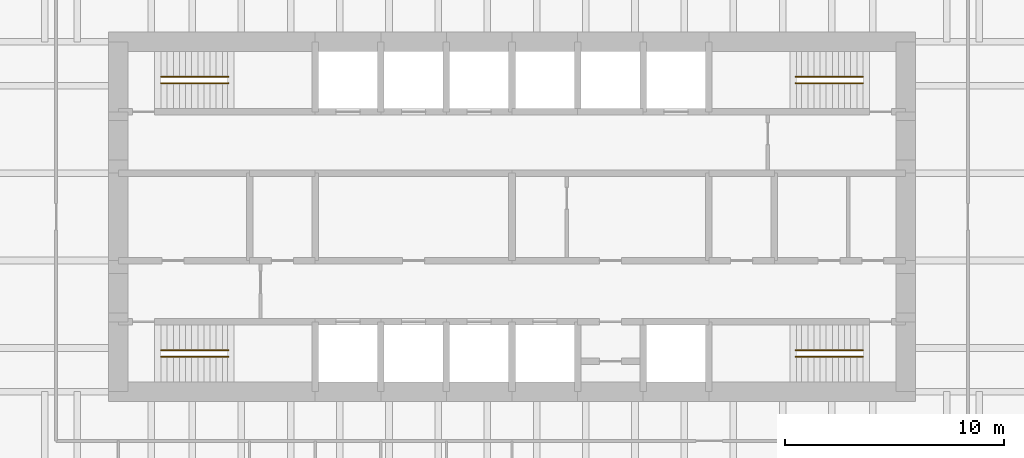
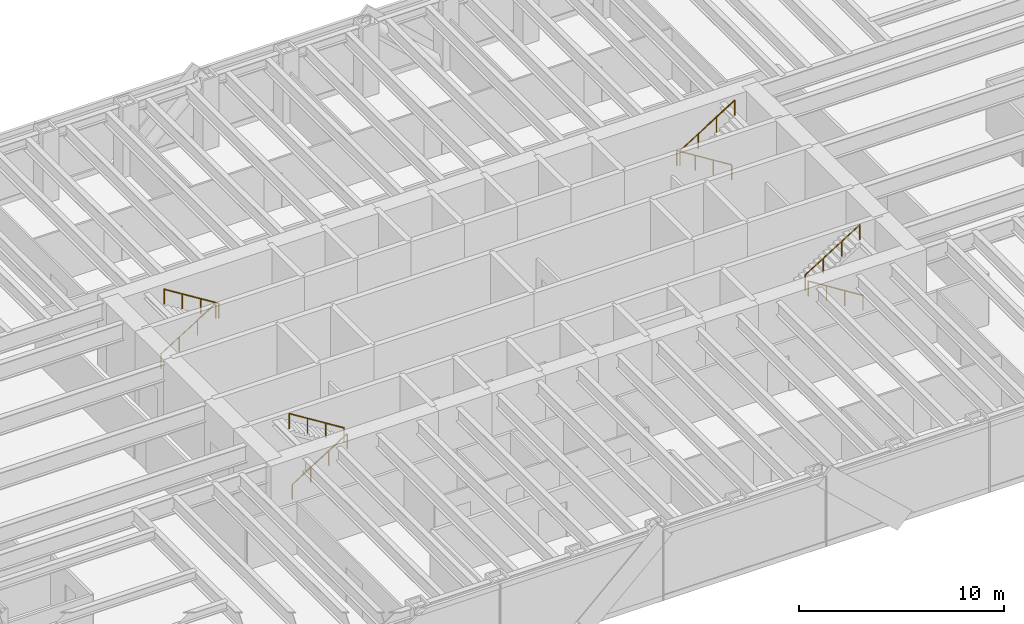
# One storey, part 15 of 15: 8 railings.
"""IFC4 building model written with IfcOpenShell, lengths in metres."""

import ifcopenshell
import ifcopenshell.guid

model = None  # the IFC model being written
_history = None  # IfcOwnerHistory: only IFC2X3 demands one
_inside = {}  # id of a spatial element -> (the spatial element, [elements in it])
_under = {}  # id of a project, library or spatial element -> (it, [spatial elements below it])
_declared = {}  # id of a project -> (the project, [libraries it declares])
_typed = {}  # id of a type object -> (the type object, [elements of that type])
_made_of = {}  # id of a material, layer set ... -> (it, [elements and type objects made of it])


def new_model(schema):
    """Start an empty IFC model of exactly this schema.

    Asked for "IFC4X3", IfcOpenShell would pick the latest addendum, in which some entities
    have other attributes; the version numbers below select the first issue.
    IFC2X3 requires an IfcOwnerHistory on every rooted entity: one is made here for all.
    """
    global model, _history
    if schema == "IFC4X3":
        model = ifcopenshell.file(schema_version=(4, 3, 0, 0))
    else:
        model = ifcopenshell.file(schema=schema)
    _inside.clear()
    _under.clear()
    _declared.clear()
    _typed.clear()
    _made_of.clear()
    _history = None
    if model.schema == "IFC2X3":
        org = make("IfcOrganization", Name="unknown")
        user = make(
            "IfcPersonAndOrganization",
            ThePerson=make("IfcPerson", FamilyName="unknown"),
            TheOrganization=org,
        )
        app = make(
            "IfcApplication",
            ApplicationDeveloper=org,
            Version="unknown",
            ApplicationFullName="unknown",
            ApplicationIdentifier="unknown",
        )
        _history = make(
            "IfcOwnerHistory",
            OwningUser=user,
            OwningApplication=app,
            ChangeAction="ADDED",
            CreationDate=0,
        )
    return model


def make(cls, **values):
    """One entity of the class cls with the attributes given. An attribute that is None is left unset."""
    return model.create_entity(
        cls, **{name: value for name, value in values.items() if value is not None}
    )


def rooted(cls, **values):
    """An entity with a GlobalId (a new one), such as an element, a storey or a relation."""
    return make(cls, GlobalId=ifcopenshell.guid.new(), OwnerHistory=_history, **values)


def si_unit(unit_type, name, prefix=None):
    """IfcSIUnit, for example si_unit("LENGTHUNIT", "METRE", prefix="MILLI")."""
    return make("IfcSIUnit", UnitType=unit_type, Prefix=prefix, Name=name)


def assignment(units):
    """IfcUnitAssignment: the units of a project."""
    return None if units is None else make("IfcUnitAssignment", Units=units)


def point(xyz):
    """IfcCartesianPoint."""
    return None if xyz is None else make("IfcCartesianPoint", Coordinates=xyz)


def direction(xyz):
    """IfcDirection."""
    return None if xyz is None else make("IfcDirection", DirectionRatios=xyz)


def frame(location, z_axis=None, x_axis=None):
    """IfcAxis2Placement3D, a coordinate frame: its origin and axes. An axis left out is left unset."""
    return make(
        "IfcAxis2Placement3D",
        Location=point(location),
        Axis=direction(z_axis),
        RefDirection=direction(x_axis),
    )


def frame_2d(location, x_axis=None):
    """IfcAxis2Placement2D, a coordinate frame in the plane: its origin and x axis."""
    return make(
        "IfcAxis2Placement2D", Location=point(location), RefDirection=direction(x_axis)
    )


def origin():
    """The frame at (0, 0, 0) with its axes left unset."""
    return frame((0.0, 0.0, 0.0))


def origin_2d():
    """The frame at (0, 0) in the plane with its x axis left unset."""
    return frame_2d((0.0, 0.0))


def place(relative_to, where):
    """IfcLocalPlacement: puts the frame where relative to a parent placement (None: the world)."""
    return make(
        "IfcLocalPlacement", PlacementRelTo=relative_to, RelativePlacement=where
    )


def context(
    kind, dimensions, precision=None, world=None, true_north=None, identifier=None
):
    """IfcGeometricRepresentationContext, for example the 3D "Model" context."""
    return make(
        "IfcGeometricRepresentationContext",
        ContextIdentifier=identifier,
        ContextType=kind,
        CoordinateSpaceDimension=dimensions,
        Precision=precision,
        WorldCoordinateSystem=world,
        TrueNorth=true_north,
    )


def subcontext(parent, identifier, kind, view, scale=None):
    """IfcGeometricRepresentationSubContext, for example "Body" below "Model"."""
    return make(
        "IfcGeometricRepresentationSubContext",
        ContextIdentifier=identifier,
        ContextType=kind,
        ParentContext=parent,
        TargetScale=scale,
        TargetView=view,
    )


def project(units=None, contexts=None):
    """IfcProject with its units and contexts."""
    return rooted(
        "IfcProject",
        Name="project",
        RepresentationContexts=contexts,
        UnitsInContext=assignment(units),
    )


def spatial(cls, under=None, at=None, **own):
    """A site, building, storey or space (cls), placed at a placement, below another one or the project."""
    s = rooted(cls, ObjectPlacement=at, **own)
    if under is not None:
        _under.setdefault(under.id(), (under, []))[1].append(s)
    return s


def profile(cls, at=None, kind="AREA", **sizes):
    """A parametric profile (cls). Its sizes go by their IFC names, for example OverallWidth=200.0."""
    return make(cls, ProfileType=kind, Position=at, **sizes)


def circle(**sizes):
    """IfcCircleProfileDef."""
    return profile("IfcCircleProfileDef", **sizes)


def extrude(swept, where, along, depth):
    """IfcExtrudedAreaSolid: the profile swept, set in the frame where, extruded along a direction by depth."""
    return make(
        "IfcExtrudedAreaSolid",
        SweptArea=swept,
        Position=where,
        ExtrudedDirection=direction(along),
        Depth=depth,
    )


def shape(context_of_items, identifier, shape_type, items):
    """IfcShapeRepresentation: the items that make up one representation, for example the "Body"."""
    return make(
        "IfcShapeRepresentation",
        ContextOfItems=context_of_items,
        RepresentationIdentifier=identifier,
        RepresentationType=shape_type,
        Items=items,
    )


def material(Name=None, Category=None):
    """IfcMaterial."""
    return make("IfcMaterial", Name=Name, Category=Category)


def made_of(thing, what):
    """Note that an element or type object is made of a material, layer set ...; save() writes the relation."""
    if what is not None:
        _made_of.setdefault(what.id(), (what, []))[1].append(thing)
    return thing


def type_object(cls, material=None, **own):
    """A type object (cls), such as IfcWallType, which elements share."""
    return made_of(rooted(cls, **own), material)


def element(
    cls,
    number,
    at=None,
    inside=None,
    cuts=None,
    type_object=None,
    material=None,
    context=None,
    identifier="Body",
    shape_type=None,
    held_by="IfcProductDefinitionShape",
    body=None,
    shapes=None,
    **own,
):
    """One element of the class cls, such as IfcWall. Its Tag is "e" and its number.

    at: its placement. inside: the storey or other place that contains it. cuts: it is an
    opening in that element (IfcRelVoidsElement). A single representation is given by context,
    identifier, shape_type and body (its items); several are given by shapes. held_by: the class
    of the entity that holds the representations. save() writes the other relations.
    """
    e = rooted(cls, Tag="e%d" % number, ObjectPlacement=at, **own)
    if body is not None:
        shapes = [shape(context, identifier, shape_type, body)]
    if shapes is not None:
        e.Representation = make(held_by, Representations=shapes)
    if inside is not None:
        _inside.setdefault(inside.id(), (inside, []))[1].append(e)
    if cuts is not None:
        rooted(
            "IfcRelVoidsElement", RelatingBuildingElement=cuts, RelatedOpeningElement=e
        )
    if type_object is not None:
        _typed.setdefault(type_object.id(), (type_object, []))[1].append(e)
    return made_of(e, material)


def aggregate(whole, parts):
    """IfcRelAggregates: a whole, such as a stair, and the parts it consists of."""
    return rooted("IfcRelAggregates", RelatingObject=whole, RelatedObjects=parts)


def save(model, path):
    """Write the relations noted so far, then the file.

    IfcRelAggregates (storeys below a building ...), IfcRelContainedInSpatialStructure (elements
    in a storey), IfcRelDefinesByType, IfcRelAssociatesMaterial and IfcRelDeclares: one each for
    every whole, place, type object, material and project.
    """
    for whole, parts in _under.values():
        aggregate(whole, parts)
    for where, things in _inside.values():
        rooted(
            "IfcRelContainedInSpatialStructure",
            RelatedElements=things,
            RelatingStructure=where,
        )
    for kind, things in _typed.values():
        rooted("IfcRelDefinesByType", RelatedObjects=things, RelatingType=kind)
    for what, things in _made_of.values():
        rooted("IfcRelAssociatesMaterial", RelatedObjects=things, RelatingMaterial=what)
    for by, libraries in _declared.values():
        rooted("IfcRelDeclares", RelatingContext=by, RelatedDefinitions=libraries)
    model.write(path)


model = new_model("IFC4")

# Units and contexts
model_context = context("Model", 3, precision=1e-05, world=origin(), true_north=direction((0.0, 1.0)))
body_context = subcontext(model_context, "Body", "Model", "MODEL_VIEW")
ifc_project = project(units=[si_unit("LENGTHUNIT", "METRE"), si_unit("AREAUNIT", "SQUARE_METRE"), si_unit("VOLUMEUNIT", "CUBIC_METRE"), si_unit("PLANEANGLEUNIT", "RADIAN"), si_unit("MASSUNIT", "GRAM", prefix="KILO")], contexts=[model_context])

# Site, building, storey
site_placement = place(None, origin())
site = spatial("IfcSite", under=ifc_project, at=site_placement, CompositionType="ELEMENT")
building_placement = place(site_placement, origin())
building = spatial("IfcBuilding", under=site, at=building_placement, Name="Rheinbord Bourse Tower", CompositionType="ELEMENT")
storey_placement = place(building_placement, frame((0.0, 0.0, 117.300048828125)))
storey = spatial("IfcBuildingStorey", under=building, at=storey_placement, Name="L25", CompositionType="ELEMENT", Elevation=117.300048828125)

# Railings
ifc_material = material(Name="Steel handrail", Category="steel")
railing_type = type_object("IfcRailingType", Name="HANDRAIL 900", PredefinedType="HANDRAIL", material=ifc_material)
railing_1_placement = place(storey_placement, frame((19.949951171875, 17.60009765625, 0.175048828125)))
element("IfcRailing", 1, at=railing_1_placement, inside=storey, type_object=railing_type, Name="Handrail", PredefinedType="HANDRAIL", context=body_context, shape_type="SweptSolid", body=[
    extrude(circle(Radius=0.02392578125, at=origin_2d()), frame((0.0, 0.0, 0.8759765625), z_axis=(0.848028513186, 0.0, 0.529950602248), x_axis=(0.0, 1.0, 0.0)), (0.0, 0.0, 1.0), 3.632080078125),
    extrude(circle(Radius=0.02099609375, at=origin_2d()), origin(), (0.0, 0.0, 1.0), 0.851806640625),
    extrude(circle(Radius=0.02099609375, at=origin_2d()), frame((1.026611328125, 0.0, 0.6416015625)), (0.0, 0.0, 1.0), 0.851806640625),
    extrude(circle(Radius=0.02099609375, at=origin_2d()), frame((2.053466796875, 0.0, 1.283203125)), (0.0, 0.0, 1.0), 0.851806640625),
    extrude(circle(Radius=0.02099609375, at=origin_2d()), frame((3.080078125, 0.0, 1.9248046875)), (0.0, 0.0, 1.0), 0.851806640625),
])
railing_2_placement = place(storey_placement, frame((23.030029296875, 17.89990234375, 2.27490234375)))
element("IfcRailing", 2, at=railing_2_placement, inside=storey, type_object=railing_type, Name="Handrail", PredefinedType="HANDRAIL", context=body_context, shape_type="SweptSolid", body=[
    extrude(circle(Radius=0.02392578125, at=origin_2d()), frame((0.0, 0.0, 0.8759765625), z_axis=(-0.847998304005, 0.0, 0.529998940003), x_axis=(0.0, -1.0, 0.0)), (0.0, 0.0, 1.0), 3.632080078125),
    extrude(circle(Radius=0.02099609375, at=origin_2d()), origin(), (0.0, 0.0, 1.0), 0.851806640625),
    extrude(circle(Radius=0.02099609375, at=origin_2d()), frame((-1.026611328125, 0.0, 0.6416015625)), (0.0, 0.0, 1.0), 0.851806640625),
    extrude(circle(Radius=0.02099609375, at=origin_2d()), frame((-2.053466796875, 0.0, 1.283447265625)), (0.0, 0.0, 1.0), 0.851806640625),
    extrude(circle(Radius=0.02099609375, at=origin_2d()), frame((-3.080078125, 0.0, 1.925048828125)), (0.0, 0.0, 1.0), 0.851806640625),
])
railing_3_placement = place(storey_placement, frame((19.949951171875, 30.39990234375, 0.175048828125)))
element("IfcRailing", 3, at=railing_3_placement, inside=storey, type_object=railing_type, Name="Handrail", PredefinedType="HANDRAIL", context=body_context, shape_type="SweptSolid", body=[
    extrude(circle(Radius=0.02392578125, at=origin_2d()), frame((0.0, 0.0, 0.8759765625), z_axis=(0.848028513186, 0.0, 0.529950602248), x_axis=(0.0, 1.0, 0.0)), (0.0, 0.0, 1.0), 3.632080078125),
    extrude(circle(Radius=0.02099609375, at=origin_2d()), origin(), (0.0, 0.0, 1.0), 0.851806640625),
    extrude(circle(Radius=0.02099609375, at=origin_2d()), frame((1.026611328125, 0.0, 0.6416015625)), (0.0, 0.0, 1.0), 0.851806640625),
    extrude(circle(Radius=0.02099609375, at=origin_2d()), frame((2.053466796875, 0.0, 1.283203125)), (0.0, 0.0, 1.0), 0.851806640625),
    extrude(circle(Radius=0.02099609375, at=origin_2d()), frame((3.080078125, 0.0, 1.9248046875)), (0.0, 0.0, 1.0), 0.851806640625),
])
railing_4_placement = place(storey_placement, frame((23.030029296875, 30.10009765625, 2.27490234375)))
element("IfcRailing", 4, at=railing_4_placement, inside=storey, type_object=railing_type, Name="Handrail", PredefinedType="HANDRAIL", context=body_context, shape_type="SweptSolid", body=[
    extrude(circle(Radius=0.02392578125, at=origin_2d()), frame((0.0, 0.0, 0.8759765625), z_axis=(-0.847998304005, 0.0, 0.529998940003), x_axis=(0.0, -1.0, 0.0)), (0.0, 0.0, 1.0), 3.632080078125),
    extrude(circle(Radius=0.02099609375, at=origin_2d()), origin(), (0.0, 0.0, 1.0), 0.851806640625),
    extrude(circle(Radius=0.02099609375, at=origin_2d()), frame((-1.026611328125, 0.0, 0.6416015625)), (0.0, 0.0, 1.0), 0.851806640625),
    extrude(circle(Radius=0.02099609375, at=origin_2d()), frame((-2.053466796875, 0.0, 1.283447265625)), (0.0, 0.0, 1.0), 0.851806640625),
    extrude(circle(Radius=0.02099609375, at=origin_2d()), frame((-3.080078125, 0.0, 1.925048828125)), (0.0, 0.0, 1.0), 0.851806640625),
])
railing_5_placement = place(storey_placement, frame((52.050048828125, 17.60009765625, 0.175048828125)))
element("IfcRailing", 5, at=railing_5_placement, inside=storey, type_object=railing_type, Name="Handrail", PredefinedType="HANDRAIL", context=body_context, shape_type="SweptSolid", body=[
    extrude(circle(Radius=0.02392578125, at=origin_2d()), frame((0.0, 0.0, 0.8759765625), z_axis=(-0.848028513186, 0.0, 0.529950602248), x_axis=(0.0, -1.0, 0.0)), (0.0, 0.0, 1.0), 3.632080078125),
    extrude(circle(Radius=0.02099609375, at=origin_2d()), origin(), (0.0, 0.0, 1.0), 0.851806640625),
    extrude(circle(Radius=0.02099609375, at=origin_2d()), frame((-1.026611328125, 0.0, 0.6416015625)), (0.0, 0.0, 1.0), 0.851806640625),
    extrude(circle(Radius=0.02099609375, at=origin_2d()), frame((-2.053466796875, 0.0, 1.283203125)), (0.0, 0.0, 1.0), 0.851806640625),
    extrude(circle(Radius=0.02099609375, at=origin_2d()), frame((-3.080078125, 0.0, 1.9248046875)), (0.0, 0.0, 1.0), 0.851806640625),
])
railing_6_placement = place(storey_placement, frame((48.969970703125, 17.89990234375, 2.27490234375)))
element("IfcRailing", 6, at=railing_6_placement, inside=storey, type_object=railing_type, Name="Handrail", PredefinedType="HANDRAIL", context=body_context, shape_type="SweptSolid", body=[
    extrude(circle(Radius=0.02392578125, at=origin_2d()), frame((0.0, 0.0, 0.8759765625), z_axis=(0.847998304005, 0.0, 0.529998940003), x_axis=(0.0, 1.0, 0.0)), (0.0, 0.0, 1.0), 3.632080078125),
    extrude(circle(Radius=0.02099609375, at=origin_2d()), origin(), (0.0, 0.0, 1.0), 0.851806640625),
    extrude(circle(Radius=0.02099609375, at=origin_2d()), frame((1.026611328125, 0.0, 0.6416015625)), (0.0, 0.0, 1.0), 0.851806640625),
    extrude(circle(Radius=0.02099609375, at=origin_2d()), frame((2.053466796875, 0.0, 1.283447265625)), (0.0, 0.0, 1.0), 0.851806640625),
    extrude(circle(Radius=0.02099609375, at=origin_2d()), frame((3.080078125, 0.0, 1.925048828125)), (0.0, 0.0, 1.0), 0.851806640625),
])
railing_7_placement = place(storey_placement, frame((52.050048828125, 30.39990234375, 0.175048828125)))
element("IfcRailing", 7, at=railing_7_placement, inside=storey, type_object=railing_type, Name="Handrail", PredefinedType="HANDRAIL", context=body_context, shape_type="SweptSolid", body=[
    extrude(circle(Radius=0.02392578125, at=origin_2d()), frame((0.0, 0.0, 0.8759765625), z_axis=(-0.848028513186, 0.0, 0.529950602248), x_axis=(0.0, -1.0, 0.0)), (0.0, 0.0, 1.0), 3.632080078125),
    extrude(circle(Radius=0.02099609375, at=origin_2d()), origin(), (0.0, 0.0, 1.0), 0.851806640625),
    extrude(circle(Radius=0.02099609375, at=origin_2d()), frame((-1.026611328125, 0.0, 0.6416015625)), (0.0, 0.0, 1.0), 0.851806640625),
    extrude(circle(Radius=0.02099609375, at=origin_2d()), frame((-2.053466796875, 0.0, 1.283203125)), (0.0, 0.0, 1.0), 0.851806640625),
    extrude(circle(Radius=0.02099609375, at=origin_2d()), frame((-3.080078125, 0.0, 1.9248046875)), (0.0, 0.0, 1.0), 0.851806640625),
])
railing_8_placement = place(storey_placement, frame((48.969970703125, 30.10009765625, 2.27490234375)))
element("IfcRailing", 8, at=railing_8_placement, inside=storey, type_object=railing_type, Name="Handrail", PredefinedType="HANDRAIL", context=body_context, shape_type="SweptSolid", body=[
    extrude(circle(Radius=0.02392578125, at=origin_2d()), frame((0.0, 0.0, 0.8759765625), z_axis=(0.847998304005, 0.0, 0.529998940003), x_axis=(0.0, 1.0, 0.0)), (0.0, 0.0, 1.0), 3.632080078125),
    extrude(circle(Radius=0.02099609375, at=origin_2d()), origin(), (0.0, 0.0, 1.0), 0.851806640625),
    extrude(circle(Radius=0.02099609375, at=origin_2d()), frame((1.026611328125, 0.0, 0.6416015625)), (0.0, 0.0, 1.0), 0.851806640625),
    extrude(circle(Radius=0.02099609375, at=origin_2d()), frame((2.053466796875, 0.0, 1.283447265625)), (0.0, 0.0, 1.0), 0.851806640625),
    extrude(circle(Radius=0.02099609375, at=origin_2d()), frame((3.080078125, 0.0, 1.925048828125)), (0.0, 0.0, 1.0), 0.851806640625),
])

save(model, "model.ifc")
